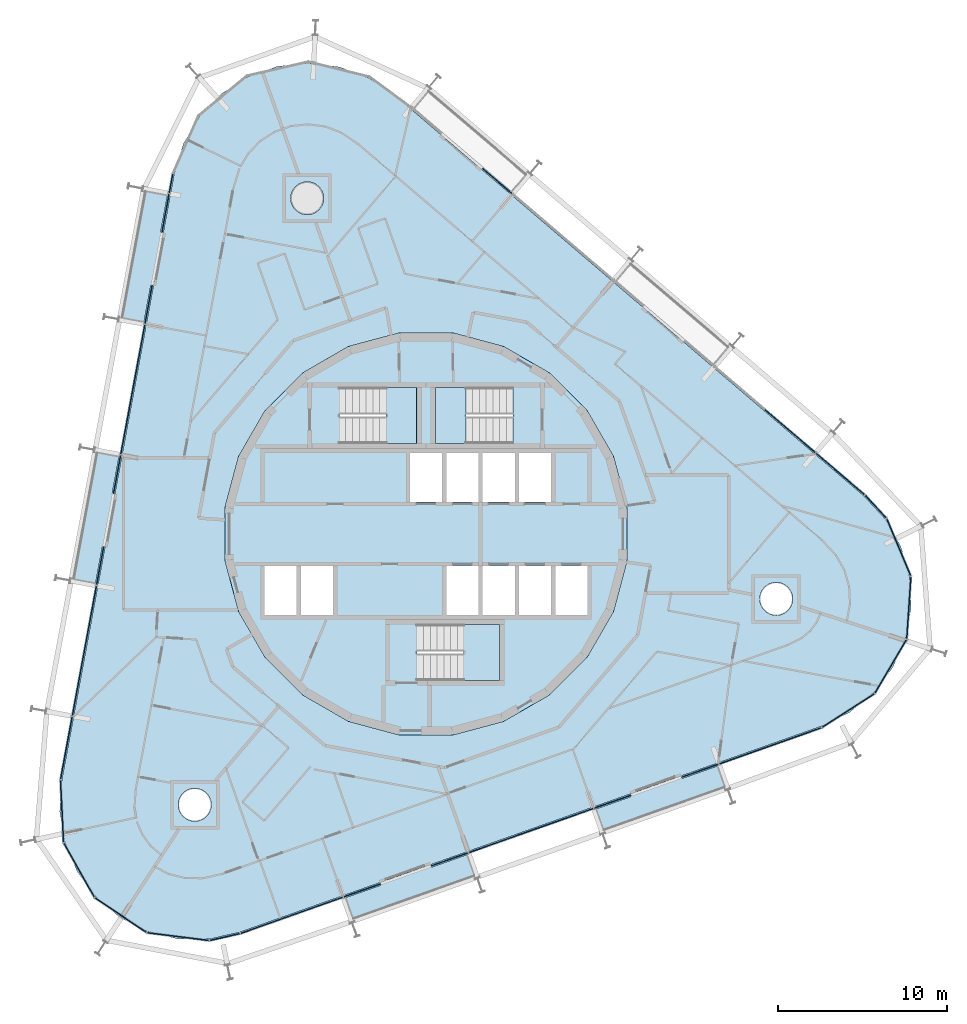
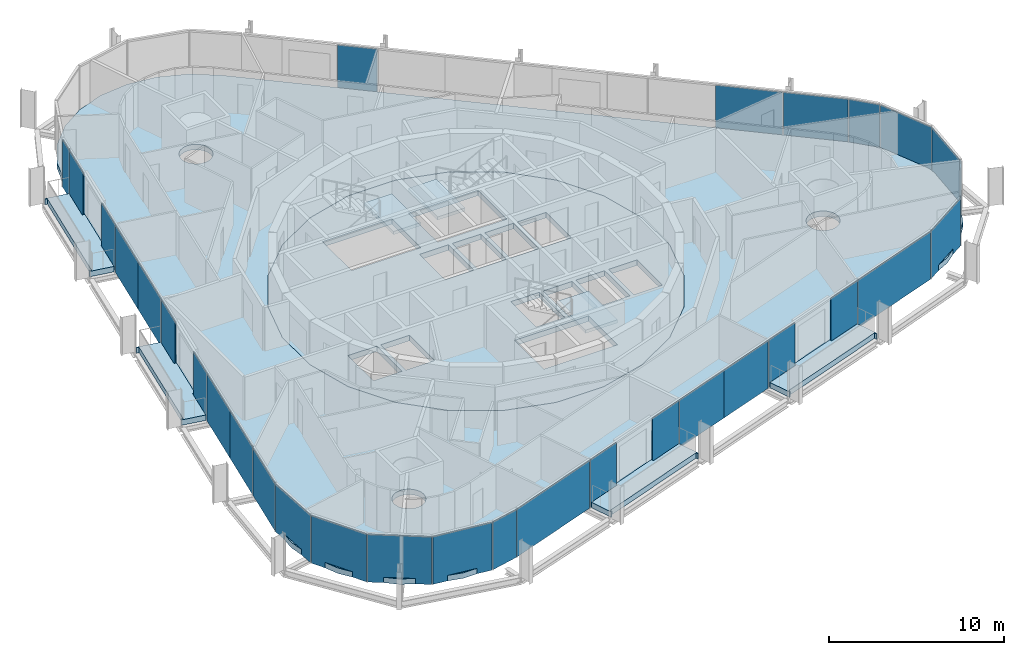
# One storey, part 9 of 17: 31 plates, 9 slabs, 9 elements without a shape of their own.
"""IFC4 building model written with IfcOpenShell, lengths in metres."""

from ifc_helpers import new_model, si_unit, direction, frame, origin, origin_2d, place, context, subcontext, project, spatial, polyline, rectangle, outline, extrude, material, layer, layer_set, type_object, element, aggregate, save


model = new_model("IFC4")

# Units and contexts
model_context = context("Model", 3, precision=1e-05, world=origin(), true_north=direction((0.0, 1.0)))
body_context = subcontext(model_context, "Body", "Model", "MODEL_VIEW")
ifc_project = project(units=[si_unit("LENGTHUNIT", "METRE"), si_unit("AREAUNIT", "SQUARE_METRE"), si_unit("VOLUMEUNIT", "CUBIC_METRE"), si_unit("PLANEANGLEUNIT", "RADIAN"), si_unit("MASSUNIT", "GRAM", prefix="KILO")], contexts=[model_context])

# Site, building, storey
site_placement = place(None, origin())
site = spatial("IfcSite", under=ifc_project, at=site_placement, CompositionType="ELEMENT")
building_placement = place(site_placement, origin())
building = spatial("IfcBuilding", under=site, at=building_placement, Name="Spindle Arch Residences", CompositionType="ELEMENT")
storey_placement = place(building_placement, frame((0.0, 0.0, 179.699951171875)))
storey = spatial("IfcBuildingStorey", under=building, at=storey_placement, Name="L45", CompositionType="ELEMENT", Elevation=179.699951171875)

# Slabs
ifc_material_1 = material(Name="Concrete C40/50", Category="concrete")
ifc_layer_1 = layer(ifc_material_1, 0.3798828125)
ifc_layer_set_1 = layer_set([ifc_layer_1], Name="Balcony slab 380")
slab_type_1 = type_object("IfcSlabType", Name="Balcony slab 380", PredefinedType="FLOOR", material=ifc_layer_set_1)
slab_1_placement = place(storey_placement, frame((0.0, 0.0, -0.3798828125)))
element("IfcSlab", 1, at=slab_1_placement, inside=storey, type_object=slab_type_1, Name="Balcony L45 bay 1", PredefinedType="FLOOR", context=body_context, shape_type="SweptSolid", body=[
    extrude(outline(polyline([(10.512451171875, -17.6884765625), (10.583251953125, -17.663330078125), (10.533203125, -17.52197265625), (17.65966796875, -14.998291015625), (17.709716796875, -15.1396484375), (17.7802734375, -15.11474609375), (17.282958984375, -13.710205078125), (15.1572265625, -14.462890625), (15.10400390625, -14.31201171875), (12.08740234375, -15.38037109375), (12.140869140625, -15.531005859375), (10.01513671875, -16.283935546875), (10.512451171875, -17.6884765625)])), origin(), (0.0, 0.0, 1.0), 0.3798828125),
])
slab_2_placement = place(storey_placement, frame((0.0, 0.0, -0.3798828125)))
element("IfcSlab", 2, at=slab_2_placement, inside=storey, type_object=slab_type_1, Name="Balcony L45 bay 13", PredefinedType="FLOOR", context=body_context, shape_type="SweptSolid", body=[
    extrude(outline(polyline([(-16.755126953125, 20.349365234375), (-16.768798828125, 20.275634765625), (-16.621337890625, 20.248291015625), (-17.9990234375, 12.814697265625), (-18.146484375, 12.842041015625), (-18.16015625, 12.768310546875), (-16.695068359375, 12.496826171875), (-16.2841796875, 14.714111328125), (-16.126953125, 14.684814453125), (-15.543701171875, 17.831298828125), (-15.700927734375, 17.860595703125), (-15.2900390625, 20.077880859375), (-16.755126953125, 20.349365234375)])), origin(), (0.0, 0.0, 1.0), 0.3798828125),
])
slab_3_placement = place(storey_placement, frame((0.0, 0.0, -0.3798828125)))
element("IfcSlab", 3, at=slab_3_placement, inside=storey, type_object=slab_type_1, Name="Balcony L45 bay 15", PredefinedType="FLOOR", context=body_context, shape_type="SweptSolid", body=[
    extrude(outline(polyline([(-19.619873046875, 4.892333984375), (-19.633544921875, 4.818603515625), (-19.486083984375, 4.791259765625), (-20.86376953125, -2.64208984375), (-21.01123046875, -2.61474609375), (-21.02490234375, -2.6884765625), (-19.559814453125, -2.960205078125), (-19.14892578125, -0.742919921875), (-18.99169921875, -0.77197265625), (-18.408447265625, 2.37451171875), (-18.56591796875, 2.403564453125), (-18.15478515625, 4.620849609375), (-19.619873046875, 4.892333984375)])), origin(), (0.0, 0.0, 1.0), 0.3798828125),
])
slab_4_placement = place(storey_placement, frame((0.0, 0.0, -0.3798828125)))
element("IfcSlab", 4, at=slab_4_placement, inside=storey, type_object=slab_type_1, Name="Balcony L45 bay 21", PredefinedType="FLOOR", context=body_context, shape_type="SweptSolid", body=[
    extrude(outline(polyline([(-4.305908203125, -22.935791015625), (-4.2353515625, -22.910888671875), (-4.285400390625, -22.76953125), (2.841064453125, -20.245849609375), (2.89111328125, -20.38720703125), (2.9619140625, -20.3623046875), (2.464599609375, -18.957763671875), (0.3388671875, -19.71044921875), (0.285400390625, -19.5595703125), (-2.73095703125, -20.627685546875), (-2.677734375, -20.778564453125), (-4.80322265625, -21.53125), (-4.305908203125, -22.935791015625)])), origin(), (0.0, 0.0, 1.0), 0.3798828125),
])
ifc_material_2 = material(Name="Concrete C50/60", Category="concrete")
ifc_layer_2 = layer(ifc_material_2, 0.3798828125)
ifc_layer_set_2 = layer_set([ifc_layer_2], Name="Core floor slab 380")
slab_type_2 = type_object("IfcSlabType", Name="Core floor slab 380", PredefinedType="FLOOR", material=ifc_layer_set_2)
slab_5_placement = place(storey_placement, frame((0.0, 0.0, -0.3798828125)))
element("IfcSlab", 5, at=slab_5_placement, inside=storey, type_object=slab_type_2, Name="Core floor L45", PredefinedType="FLOOR", context=body_context, shape_type="SweptSolid", body=[
    extrude(outline(polyline([(1.56640625, -11.897216796875), (4.59228515625, -11.086669921875), (7.30517578125, -9.520263671875), (9.520263671875, -7.30517578125), (11.086669921875, -4.59228515625), (11.897216796875, -1.56640625), (11.897216796875, 1.56640625), (11.086669921875, 4.59228515625), (9.520263671875, 7.30517578125), (7.30517578125, 9.520263671875), (4.59228515625, 11.086669921875), (1.56640625, 11.897216796875), (-1.56640625, 11.897216796875), (-4.59228515625, 11.086669921875), (-7.30517578125, 9.520263671875), (-9.520263671875, 7.30517578125), (-11.086669921875, 4.59228515625), (-11.897216796875, 1.56640625), (-11.897216796875, -1.56640625), (-11.086669921875, -4.59228515625), (-9.520263671875, -7.30517578125), (-7.30517578125, -9.520263671875), (-4.59228515625, -11.086669921875), (-1.56640625, -11.897216796875), (1.56640625, -11.897216796875)]), holes=[polyline([(-0.949951171875, 1.89990234375), (0.949951171875, 1.89990234375), (0.949951171875, 4.800048828125), (-0.949951171875, 4.800048828125), (-0.949951171875, 1.89990234375)]), polyline([(1.199951171875, 1.89990234375), (3.10009765625, 1.89990234375), (3.10009765625, 4.800048828125), (1.199951171875, 4.800048828125), (1.199951171875, 1.89990234375)]), polyline([(3.35009765625, 1.89990234375), (5.25, 1.89990234375), (5.25, 4.800048828125), (3.35009765625, 4.800048828125), (3.35009765625, 1.89990234375)]), polyline([(5.5, 1.89990234375), (7.39990234375, 1.89990234375), (7.39990234375, 4.800048828125), (5.5, 4.800048828125), (5.5, 1.89990234375)]), polyline([(-9.550048828125, -4.800048828125), (-7.64990234375, -4.800048828125), (-7.64990234375, -1.89990234375), (-9.550048828125, -1.89990234375), (-9.550048828125, -4.800048828125)]), polyline([(-7.39990234375, -4.800048828125), (-5.5, -4.800048828125), (-5.5, -1.89990234375), (-7.39990234375, -1.89990234375), (-7.39990234375, -4.800048828125)]), polyline([(1.199951171875, -4.800048828125), (3.10009765625, -4.800048828125), (3.10009765625, -1.89990234375), (1.199951171875, -1.89990234375), (1.199951171875, -4.800048828125)]), polyline([(3.35009765625, -4.800048828125), (5.25, -4.800048828125), (5.25, -1.89990234375), (3.35009765625, -1.89990234375), (3.35009765625, -4.800048828125)]), polyline([(5.5, -4.800048828125), (7.39990234375, -4.800048828125), (7.39990234375, -1.89990234375), (5.5, -1.89990234375), (5.5, -4.800048828125)]), polyline([(7.64990234375, -4.800048828125), (9.550048828125, -4.800048828125), (9.550048828125, -1.89990234375), (7.64990234375, -1.89990234375), (7.64990234375, -4.800048828125)]), polyline([(5.1298828125, 8.669921875), (0.550048828125, 8.669921875), (0.550048828125, 5.35009765625), (5.1298828125, 5.35009765625), (5.1298828125, 8.669921875)]), polyline([(-5.1298828125, 5.35009765625), (-0.550048828125, 5.35009765625), (-0.550048828125, 8.669921875), (-5.1298828125, 8.669921875), (-5.1298828125, 5.35009765625)]), polyline([(-0.530029296875, -8.669921875), (4.35009765625, -8.669921875), (4.35009765625, -5.35009765625), (-0.530029296875, -5.35009765625), (-0.530029296875, -8.669921875)])]), origin(), (0.0, 0.0, 1.0), 0.3798828125),
])

# Stair, slab
ifc_material_3 = material(Name="Concrete C50/60", Category="concrete")
stair_type = type_object("IfcStairType", Name="Exit stair 16 risers", PredefinedType="HALF_TURN_STAIR", material=ifc_material_3)
stair_1_placement = place(storey_placement, origin())
stair_1 = element("IfcStair", 6, at=stair_1_placement, inside=storey, type_object=stair_type, Name="L45 Exit stair ST1", PredefinedType="HALF_TURN_STAIR")
ifc_material_4 = material(Name="Concrete C50/60", Category="concrete")
ifc_layer_3 = layer(ifc_material_4, 0.219970703125)
ifc_layer_set_3 = layer_set([ifc_layer_3], Name="Exit stair landing 220")
slab_type_3 = type_object("IfcSlabType", Name="Exit stair landing 220", PredefinedType="LANDING", material=ifc_layer_set_3)
slab_6_placement = place(storey_placement, frame((0.0, 0.0, 1.530029296875)))
slab_6 = element("IfcSlab", 7, at=slab_6_placement, type_object=slab_type_3, Name="ST1 landing 1", PredefinedType="LANDING", context=body_context, shape_type="SweptSolid", body=[
    extrude(outline(polyline([(2.3701171875, 8.669921875), (0.550048828125, 8.669921875), (0.550048828125, 5.35009765625), (2.3701171875, 5.35009765625), (2.3701171875, 8.669921875)])), origin(), (0.0, 0.0, 1.0), 0.219970703125),
])
aggregate(stair_1, [slab_6])

stair_2_placement = place(storey_placement, origin())
stair_2 = element("IfcStair", 8, at=stair_2_placement, inside=storey, type_object=stair_type, Name="L45 Exit stair ST2", PredefinedType="HALF_TURN_STAIR")
slab_7_placement = place(storey_placement, frame((0.0, 0.0, 1.530029296875)))
slab_7 = element("IfcSlab", 9, at=slab_7_placement, type_object=slab_type_3, Name="ST2 landing 1", PredefinedType="LANDING", context=body_context, shape_type="SweptSolid", body=[
    extrude(outline(polyline([(-2.3701171875, 5.35009765625), (-0.550048828125, 5.35009765625), (-0.550048828125, 8.669921875), (-2.3701171875, 8.669921875), (-2.3701171875, 5.35009765625)])), origin(), (0.0, 0.0, 1.0), 0.219970703125),
])
aggregate(stair_2, [slab_7])

stair_3_placement = place(storey_placement, origin())
stair_3 = element("IfcStair", 10, at=stair_3_placement, inside=storey, type_object=stair_type, Name="L45 Exit stair ST3", PredefinedType="HALF_TURN_STAIR")
slab_8_placement = place(storey_placement, frame((0.0, 0.0, 1.530029296875)))
slab_8 = element("IfcSlab", 11, at=slab_8_placement, type_object=slab_type_3, Name="ST3 landing 1", PredefinedType="LANDING", context=body_context, shape_type="SweptSolid", body=[
    extrude(outline(polyline([(2.22998046875, -8.669921875), (4.35009765625, -8.669921875), (4.35009765625, -5.35009765625), (2.22998046875, -5.35009765625), (2.22998046875, -8.669921875)])), origin(), (0.0, 0.0, 1.0), 0.219970703125),
])
aggregate(stair_3, [slab_8])

# Slab
ifc_material_5 = material(Name="Concrete C40/50", Category="concrete")
ifc_layer_4 = layer(ifc_material_5, 0.3798828125)
ifc_layer_set_4 = layer_set([ifc_layer_4], Name="Floor slab 380")
slab_type_4 = type_object("IfcSlabType", Name="Floor slab 380", PredefinedType="FLOOR", material=ifc_layer_set_4)
slab_9_placement = place(storey_placement, frame((0.0, 0.0, -0.3798828125)))
element("IfcSlab", 12, at=slab_9_placement, inside=storey, type_object=slab_type_4, Name="Floor slab L45", PredefinedType="FLOOR", context=body_context, shape_type="SweptSolid", body=[
    extrude(outline(polyline([(-12.82177734375, -23.972412109375), (-14.67919921875, -23.9560546875), (-16.48291015625, -23.511962890625), (-18.135498046875, -22.663818359375), (-19.5478515625, -21.45751953125), (-20.64404296875, -19.9580078125), (-21.36474609375, -18.24609375), (-21.67138671875, -16.4140625), (-21.547119140625, -14.560791015625), (-14.89794921875, 21.3154296875), (-14.349609375, 23.090087890625), (-13.406982421875, 24.690673828125), (-12.12060546875, 26.030517578125), (-10.559814453125, 27.03759765625), (-8.808837890625, 27.65771484375), (-6.962158203125, 27.857421875), (-5.119140625, 27.62548828125), (-3.37939453125, 26.97509765625), (-1.83642578125, 25.94091796875), (25.90869140625, 2.244384765625), (27.171630859375, 0.882080078125), (28.086181640625, -0.734619140625), (28.603515625, -2.5185546875), (28.6953125, -4.373779296875), (28.356689453125, -6.2001953125), (27.606201171875, -7.8994140625), (26.48388671875, -9.37939453125), (25.05078125, -10.56103515625), (23.383544921875, -11.380126953125), (6.186279296875, -17.469970703125), (-11.0107421875, -23.559814453125), (-12.82177734375, -23.972412109375)]), holes=[polyline([(7.30517578125, -9.520263671875), (9.520263671875, -7.30517578125), (11.086669921875, -4.59228515625), (11.897216796875, -1.56640625), (11.897216796875, 1.56640625), (11.086669921875, 4.59228515625), (9.520263671875, 7.30517578125), (7.30517578125, 9.520263671875), (4.59228515625, 11.086669921875), (1.56640625, 11.897216796875), (-1.56640625, 11.897216796875), (-4.59228515625, 11.086669921875), (-7.30517578125, 9.520263671875), (-9.520263671875, 7.30517578125), (-11.086669921875, 4.59228515625), (-11.897216796875, 1.56640625), (-11.897216796875, -1.56640625), (-11.086669921875, -4.59228515625), (-9.520263671875, -7.30517578125), (-7.30517578125, -9.520263671875), (-4.59228515625, -11.086669921875), (-1.56640625, -11.897216796875), (1.56640625, -11.897216796875), (4.59228515625, -11.086669921875), (7.30517578125, -9.520263671875)]), polyline([(-12.99169921875, -16.7080078125), (-12.87060546875, -16.560302734375), (-12.780517578125, -16.3916015625), (-12.724853515625, -16.208740234375), (-12.706298828125, -16.0185546875), (-12.724853515625, -15.828369140625), (-12.780517578125, -15.6455078125), (-12.87060546875, -15.476806640625), (-12.99169921875, -15.3291015625), (-13.139404296875, -15.2080078125), (-13.30810546875, -15.117919921875), (-13.490966796875, -15.062255859375), (-13.68115234375, -15.043701171875), (-13.871337890625, -15.062255859375), (-14.05419921875, -15.117919921875), (-14.222900390625, -15.2080078125), (-14.37060546875, -15.3291015625), (-14.491943359375, -15.476806640625), (-14.58203125, -15.6455078125), (-14.637451171875, -15.828369140625), (-14.65625, -16.0185546875), (-14.637451171875, -16.208740234375), (-14.58203125, -16.3916015625), (-14.491943359375, -16.560302734375), (-14.37060546875, -16.7080078125), (-14.222900390625, -16.829345703125), (-14.05419921875, -16.91943359375), (-13.871337890625, -16.974853515625), (-13.68115234375, -16.99365234375), (-13.490966796875, -16.974853515625), (-13.30810546875, -16.91943359375), (-13.139404296875, -16.829345703125), (-12.99169921875, -16.7080078125)]), polyline([(-6.22119140625, 19.31591796875), (-6.131103515625, 19.484619140625), (-6.07568359375, 19.66748046875), (-6.056884765625, 19.857666015625), (-6.07568359375, 20.0478515625), (-6.131103515625, 20.230712890625), (-6.22119140625, 20.3994140625), (-6.342529296875, 20.547119140625), (-6.490234375, 20.668212890625), (-6.65869140625, 20.75830078125), (-6.841796875, 20.81396484375), (-7.031982421875, 20.83251953125), (-7.22216796875, 20.81396484375), (-7.405029296875, 20.75830078125), (-7.573486328125, 20.668212890625), (-7.72119140625, 20.547119140625), (-7.842529296875, 20.3994140625), (-7.9326171875, 20.230712890625), (-7.98828125, 20.0478515625), (-8.0068359375, 19.857666015625), (-7.98828125, 19.66748046875), (-7.9326171875, 19.484619140625), (-7.842529296875, 19.31591796875), (-7.72119140625, 19.168212890625), (-7.573486328125, 19.046875), (-7.405029296875, 18.956787109375), (-7.22216796875, 18.9013671875), (-7.031982421875, 18.882568359375), (-6.841796875, 18.9013671875), (-6.65869140625, 18.956787109375), (-6.490234375, 19.046875), (-6.342529296875, 19.168212890625), (-6.22119140625, 19.31591796875)]), polyline([(21.523681640625, -4.380615234375), (21.614013671875, -4.212158203125), (21.66943359375, -4.029296875), (21.68798828125, -3.839111328125), (21.66943359375, -3.648681640625), (21.614013671875, -3.4658203125), (21.523681640625, -3.29736328125), (21.402587890625, -3.149658203125), (21.2548828125, -3.0283203125), (21.086181640625, -2.938232421875), (20.9033203125, -2.8828125), (20.713134765625, -2.864013671875), (20.52294921875, -2.8828125), (20.340087890625, -2.938232421875), (20.17138671875, -3.0283203125), (20.023681640625, -3.149658203125), (19.90234375, -3.29736328125), (19.812255859375, -3.4658203125), (19.7568359375, -3.648681640625), (19.738037109375, -3.839111328125), (19.7568359375, -4.029296875), (19.812255859375, -4.212158203125), (19.90234375, -4.380615234375), (20.023681640625, -4.5283203125), (20.17138671875, -4.649658203125), (20.340087890625, -4.73974609375), (20.52294921875, -4.79541015625), (20.713134765625, -4.81396484375), (20.9033203125, -4.79541015625), (21.086181640625, -4.73974609375), (21.2548828125, -4.649658203125), (21.402587890625, -4.5283203125), (21.523681640625, -4.380615234375)])]), origin(), (0.0, 0.0, 1.0), 0.3798828125),
])

# Curtain wall, plates
ifc_material_6 = material(Name="Aluminium bronze unitised frame with tinted glass", Category="aluminium")
ifc_layer_5 = layer(ifc_material_6, 0.159912109375)
ifc_layer_set_5 = layer_set([ifc_layer_5], Name="CW-D corner wall on the fillet arcs")
curtain_wall_type_1 = type_object("IfcCurtainWallType", Name="CW-D corner wall on the fillet arcs", PredefinedType="NOTDEFINED", material=ifc_layer_set_5)
curtain_wall_1_placement = place(storey_placement, origin())
curtain_wall_1 = element("IfcCurtainWall", 13, at=curtain_wall_1_placement, inside=storey, type_object=curtain_wall_type_1, Name="CW-D L45 run 1", PredefinedType="NOTDEFINED")
ifc_material_7 = material(Name="Tinted double glazing over aluminium faced non-combustible spandrel zone (K0)", Category="aluminium")
ifc_layer_6 = layer(ifc_material_7, 0.06005859375)
ifc_layer_set_6 = layer_set([ifc_layer_6], Name="Unitised glass panel with E 60 spandrel zone")
plate_type = type_object("IfcPlateType", Name="Unitised glass panel with E 60 spandrel zone", PredefinedType="CURTAIN_PANEL", material=ifc_layer_set_6)
plate_1_placement = place(storey_placement, frame((20.36865234375, -12.53271484375, -0.3798828125), z_axis=(0.0, 0.0, 1.0), x_axis=(0.942641491092, 0.333806859234, 0.0)))
plate_1 = element("IfcPlate", 14, at=plate_1_placement, type_object=plate_type, Name="CW-D unit 00", PredefinedType="CURTAIN_PANEL", context=body_context, shape_type="SweptSolid", body=[
    extrude(rectangle(XDim=6.3935546875, YDim=0.06005859375, at=origin_2d()), origin(), (0.0, 0.0, 1.0), 3.31005859375),
])
plate_2_placement = place(storey_placement, frame((24.97607421875, -10.445068359375, -0.3798828125), z_axis=(0.0, 0.0, 1.0), x_axis=(0.840251309898, 0.542197137778, 0.0)))
plate_2 = element("IfcPlate", 15, at=plate_2_placement, type_object=plate_type, Name="CW-D unit 01", PredefinedType="CURTAIN_PANEL", context=body_context, shape_type="SweptSolid", body=[
    extrude(rectangle(XDim=3.666748046875, YDim=0.06005859375, at=origin_2d()), origin(), (0.0, 0.0, 1.0), 3.31005859375),
])
plate_3_placement = place(storey_placement, frame((27.487548828125, -7.829345703125, -0.3798828125), z_axis=(0.0, 0.0, 1.0), x_axis=(0.507538365713, 0.86162915882, 0.0)))
plate_3 = element("IfcPlate", 16, at=plate_3_placement, type_object=plate_type, Name="CW-D unit 02", PredefinedType="CURTAIN_PANEL", context=body_context, shape_type="SweptSolid", body=[
    extrude(rectangle(XDim=3.666748046875, YDim=0.06005859375, at=origin_2d()), origin(), (0.0, 0.0, 1.0), 3.31005859375),
])
plate_4_placement = place(storey_placement, frame((28.557861328125, -4.364501953125, -0.3798828125), z_axis=(0.0, 0.0, 1.0), x_axis=(0.066854392204, 0.997762742461, 0.0)))
plate_4 = element("IfcPlate", 17, at=plate_4_placement, type_object=plate_type, Name="CW-D unit 03", PredefinedType="CURTAIN_PANEL", context=body_context, shape_type="SweptSolid", body=[
    extrude(rectangle(XDim=3.666748046875, YDim=0.06005859375, at=origin_2d()), origin(), (0.0, 0.0, 1.0), 3.31005859375),
])
plate_5_placement = place(storey_placement, frame((27.959228515625, -0.7880859375, -0.3798828125), z_axis=(0.0, 0.0, 1.0), x_axis=(-0.388051836633, 0.921637549195, 0.0)))
plate_5 = element("IfcPlate", 18, at=plate_5_placement, type_object=plate_type, Name="CW-D unit 04", PredefinedType="CURTAIN_PANEL", context=body_context, shape_type="SweptSolid", body=[
    extrude(rectangle(XDim=3.666748046875, YDim=0.06005859375, at=origin_2d()), origin(), (0.0, 0.0, 1.0), 3.31005859375),
])
plate_6_placement = place(storey_placement, frame((26.598388671875, 1.6171875, -0.3798828125), z_axis=(0.0, 0.0, 1.0), x_axis=(-0.679868057543, 0.733334455983, 0.0)))
plate_6 = element("IfcPlate", 19, at=plate_6_placement, type_object=plate_type, Name="CW-D unit 05", PredefinedType="CURTAIN_PANEL", context=body_context, shape_type="SweptSolid", body=[
    extrude(rectangle(XDim=1.816162109375, YDim=0.06005859375, at=origin_2d()), origin(), (0.0, 0.0, 1.0), 3.31005859375),
])
plate_7_placement = place(storey_placement, frame((24.503173828125, 3.550048828125, -0.3798828125), z_axis=(0.0, 0.0, 1.0), x_axis=(-0.7604059656, 0.64944804833, 0.0)))
plate_7 = element("IfcPlate", 20, at=plate_7_placement, type_object=plate_type, Name="CW-D unit 06", PredefinedType="CURTAIN_PANEL", context=body_context, shape_type="SweptSolid", body=[
    extrude(rectangle(XDim=3.7734375, YDim=0.06005859375, at=origin_2d()), origin(), (0.0, 0.0, 1.0), 3.31005859375),
])
aggregate(curtain_wall_1, [plate_1, plate_2, plate_3, plate_4, plate_5, plate_6, plate_7])

ifc_material_8 = material(Name="Aluminium bronze unitised frame with tinted glass", Category="aluminium")
ifc_layer_7 = layer(ifc_material_8, 0.159912109375)
ifc_layer_set_7 = layer_set([ifc_layer_7], Name="CW-C typical residential unitised wall")
curtain_wall_type_2 = type_object("IfcCurtainWallType", Name="CW-C typical residential unitised wall", PredefinedType="NOTDEFINED", material=ifc_layer_set_7)
curtain_wall_2_placement = place(storey_placement, origin())
curtain_wall_2 = element("IfcCurtainWall", 21, at=curtain_wall_2_placement, inside=storey, type_object=curtain_wall_type_2, Name="CW-C L45 run 2", PredefinedType="NOTDEFINED")
plate_8_placement = place(storey_placement, frame((21.5400390625, 6.08056640625, -0.3798828125), z_axis=(0.0, 0.0, 1.0), x_axis=(-0.7604059656, 0.64944804833, 0.0)))
plate_8 = element("IfcPlate", 22, at=plate_8_placement, type_object=plate_type, Name="CW-C unit 05A", PredefinedType="CURTAIN_PANEL", context=body_context, shape_type="SweptSolid", body=[
    extrude(rectangle(XDim=3.900146484375, YDim=0.06005859375, at=origin_2d()), origin(), (0.0, 0.0, 1.0), 3.31005859375),
])
plate_9_placement = place(storey_placement, frame((4.2177734375, 20.875244140625, -0.3798828125), z_axis=(0.0, 0.0, 1.0), x_axis=(-0.7604059656, 0.64944804833, 0.0)))
plate_9 = element("IfcPlate", 23, at=plate_9_placement, type_object=plate_type, Name="CW-C unit 08L", PredefinedType="CURTAIN_PANEL", context=body_context, shape_type="SweptSolid", body=[
    extrude(rectangle(XDim=2.300048828125, YDim=0.06005859375, at=origin_2d()), origin(), (0.0, 0.0, 1.0), 3.31005859375),
])
aggregate(curtain_wall_2, [plate_8, plate_9])

# Curtain wall, plate
curtain_wall_3_placement = place(storey_placement, origin())
curtain_wall_3 = element("IfcCurtainWall", 24, at=curtain_wall_3_placement, inside=storey, type_object=curtain_wall_type_1, Name="CW-D L45 run 3", PredefinedType="NOTDEFINED")
plate_10_placement = place(storey_placement, frame((-15.087158203125, 20.7333984375, -0.3798828125), z_axis=(0.0, 0.0, 1.0), x_axis=(-0.182235525492, -0.983254907564, 0.0)))
plate_10 = element("IfcPlate", 25, at=plate_10_placement, type_object=plate_type, Name="CW-D unit 05", PredefinedType="CURTAIN_PANEL", context=body_context, shape_type="SweptSolid", body=[
    extrude(rectangle(XDim=1.1533203125, YDim=0.06005859375, at=origin_2d()), origin(), (0.0, 0.0, 1.0), 3.31005859375),
])
aggregate(curtain_wall_3, [plate_10])

# Curtain wall, plates
curtain_wall_4_placement = place(storey_placement, origin())
curtain_wall_4 = element("IfcCurtainWall", 26, at=curtain_wall_4_placement, inside=storey, type_object=curtain_wall_type_2, Name="CW-C L45 run 4", PredefinedType="NOTDEFINED")
plate_11_placement = place(storey_placement, frame((-15.412841796875, 18.9765625, -0.3798828125), z_axis=(0.0, 0.0, 1.0), x_axis=(-0.182235525492, -0.983254907564, 0.0)))
plate_11 = element("IfcPlate", 27, at=plate_11_placement, type_object=plate_type, Name="CW-C unit 12L", PredefinedType="CURTAIN_PANEL", context=body_context, shape_type="SweptSolid", body=[
    extrude(rectangle(XDim=2.300048828125, YDim=0.06005859375, at=origin_2d()), origin(), (0.0, 0.0, 1.0), 3.31005859375),
])
plate_12_placement = place(storey_placement, frame((-16.4150390625, 13.56884765625, -0.3798828125), z_axis=(0.0, 0.0, 1.0), x_axis=(-0.182235525492, -0.983254907564, 0.0)))
plate_12 = element("IfcPlate", 28, at=plate_12_placement, type_object=plate_type, Name="CW-C unit 12R", PredefinedType="CURTAIN_PANEL", context=body_context, shape_type="SweptSolid", body=[
    extrude(rectangle(XDim=2.300048828125, YDim=0.06005859375, at=origin_2d()), origin(), (0.0, 0.0, 1.0), 3.31005859375),
])
plate_13_placement = place(storey_placement, frame((-16.990966796875, 10.461669921875, -0.3798828125), z_axis=(0.0, 0.0, 1.0), x_axis=(-0.182235525492, -0.983254907564, 0.0)))
plate_13 = element("IfcPlate", 29, at=plate_13_placement, type_object=plate_type, Name="CW-C unit 13A", PredefinedType="CURTAIN_PANEL", context=body_context, shape_type="SweptSolid", body=[
    extrude(rectangle(XDim=3.900146484375, YDim=0.06005859375, at=origin_2d()), origin(), (0.0, 0.0, 1.0), 3.31005859375),
])
plate_14_placement = place(storey_placement, frame((-17.70166015625, 6.626953125, -0.3798828125), z_axis=(0.0, 0.0, 1.0), x_axis=(-0.182235525492, -0.983254907564, 0.0)))
plate_14 = element("IfcPlate", 30, at=plate_14_placement, type_object=plate_type, Name="CW-C unit 13B", PredefinedType="CURTAIN_PANEL", context=body_context, shape_type="SweptSolid", body=[
    extrude(rectangle(XDim=3.900146484375, YDim=0.06005859375, at=origin_2d()), origin(), (0.0, 0.0, 1.0), 3.31005859375),
])
plate_15_placement = place(storey_placement, frame((-18.277587890625, 3.519775390625, -0.3798828125), z_axis=(0.0, 0.0, 1.0), x_axis=(-0.182235525492, -0.983254907564, 0.0)))
plate_15 = element("IfcPlate", 31, at=plate_15_placement, type_object=plate_type, Name="CW-C unit 14L", PredefinedType="CURTAIN_PANEL", context=body_context, shape_type="SweptSolid", body=[
    extrude(rectangle(XDim=2.300048828125, YDim=0.06005859375, at=origin_2d()), origin(), (0.0, 0.0, 1.0), 3.31005859375),
])
plate_16_placement = place(storey_placement, frame((-19.27978515625, -1.88818359375, -0.3798828125), z_axis=(0.0, 0.0, 1.0), x_axis=(-0.182235525492, -0.983254907564, 0.0)))
plate_16 = element("IfcPlate", 32, at=plate_16_placement, type_object=plate_type, Name="CW-C unit 14R", PredefinedType="CURTAIN_PANEL", context=body_context, shape_type="SweptSolid", body=[
    extrude(rectangle(XDim=2.300048828125, YDim=0.06005859375, at=origin_2d()), origin(), (0.0, 0.0, 1.0), 3.31005859375),
])
plate_17_placement = place(storey_placement, frame((-19.855712890625, -4.995361328125, -0.3798828125), z_axis=(0.0, 0.0, 1.0), x_axis=(-0.182235525492, -0.983254907564, 0.0)))
plate_17 = element("IfcPlate", 33, at=plate_17_placement, type_object=plate_type, Name="CW-C unit 15A", PredefinedType="CURTAIN_PANEL", context=body_context, shape_type="SweptSolid", body=[
    extrude(rectangle(XDim=3.900146484375, YDim=0.06005859375, at=origin_2d()), origin(), (0.0, 0.0, 1.0), 3.31005859375),
])
plate_18_placement = place(storey_placement, frame((-20.56640625, -8.830078125, -0.3798828125), z_axis=(0.0, 0.0, 1.0), x_axis=(-0.182235525492, -0.983254907564, 0.0)))
plate_18 = element("IfcPlate", 34, at=plate_18_placement, type_object=plate_type, Name="CW-C unit 15B", PredefinedType="CURTAIN_PANEL", context=body_context, shape_type="SweptSolid", body=[
    extrude(rectangle(XDim=3.900146484375, YDim=0.06005859375, at=origin_2d()), origin(), (0.0, 0.0, 1.0), 3.31005859375),
])
aggregate(curtain_wall_4, [plate_11, plate_12, plate_13, plate_14, plate_15, plate_16, plate_17, plate_18])

curtain_wall_5_placement = place(storey_placement, origin())
curtain_wall_5 = element("IfcCurtainWall", 35, at=curtain_wall_5_placement, inside=storey, type_object=curtain_wall_type_1, Name="CW-D L45 run 5", PredefinedType="NOTDEFINED")
plate_19_placement = place(storey_placement, frame((-21.276611328125, -12.66162109375, -0.3798828125), z_axis=(0.0, 0.0, 1.0), x_axis=(-0.182235525492, -0.983254907564, 0.0)))
plate_19 = element("IfcPlate", 36, at=plate_19_placement, type_object=plate_type, Name="CW-D unit 00", PredefinedType="CURTAIN_PANEL", context=body_context, shape_type="SweptSolid", body=[
    extrude(rectangle(XDim=3.7734375, YDim=0.06005859375, at=origin_2d()), origin(), (0.0, 0.0, 1.0), 3.31005859375),
])
plate_20_placement = place(storey_placement, frame((-21.53369140625, -16.4072265625, -0.3798828125), z_axis=(0.0, 0.0, 1.0), x_axis=(0.049430843939, -0.99877754864, 0.0)))
plate_20 = element("IfcPlate", 37, at=plate_20_placement, type_object=plate_type, Name="CW-D unit 01", PredefinedType="CURTAIN_PANEL", context=body_context, shape_type="SweptSolid", body=[
    extrude(rectangle(XDim=3.666748046875, YDim=0.06005859375, at=origin_2d()), origin(), (0.0, 0.0, 1.0), 3.31005859375),
])
plate_21_placement = place(storey_placement, frame((-20.524169921875, -19.89013671875, -0.3798828125), z_axis=(0.0, 0.0, 1.0), x_axis=(0.492423562185, -0.870355694762, 0.0)))
plate_21 = element("IfcPlate", 38, at=plate_21_placement, type_object=plate_type, Name="CW-D unit 02", PredefinedType="CURTAIN_PANEL", context=body_context, shape_type="SweptSolid", body=[
    extrude(rectangle(XDim=3.666748046875, YDim=0.06005859375, at=origin_2d()), origin(), (0.0, 0.0, 1.0), 3.31005859375),
])
plate_22_placement = place(storey_placement, frame((-18.05859375, -22.549560546875, -0.3798828125), z_axis=(0.0, 0.0, 1.0), x_axis=(0.830660688705, -0.556778968928, 0.0)))
plate_22 = element("IfcPlate", 39, at=plate_22_placement, type_object=plate_type, Name="CW-D unit 03", PredefinedType="CURTAIN_PANEL", context=body_context, shape_type="SweptSolid", body=[
    extrude(rectangle(XDim=3.666748046875, YDim=0.06005859375, at=origin_2d()), origin(), (0.0, 0.0, 1.0), 3.31005859375),
])
plate_23_placement = place(storey_placement, frame((-14.662109375, -23.8193359375, -0.3798828125), z_axis=(0.0, 0.0, 1.0), x_axis=(0.992187449327, -0.12475602349, 0.0)))
plate_23 = element("IfcPlate", 40, at=plate_23_placement, type_object=plate_type, Name="CW-D unit 04", PredefinedType="CURTAIN_PANEL", context=body_context, shape_type="SweptSolid", body=[
    extrude(rectangle(XDim=3.666748046875, YDim=0.06005859375, at=origin_2d()), origin(), (0.0, 0.0, 1.0), 3.31005859375),
])
plate_24_placement = place(storey_placement, frame((-11.898681640625, -23.843505859375, -0.3798828125), z_axis=(0.0, 0.0, 1.0), x_axis=(0.975020297465, 0.222115779565, 0.0)))
plate_24 = element("IfcPlate", 41, at=plate_24_placement, type_object=plate_type, Name="CW-D unit 05", PredefinedType="CURTAIN_PANEL", context=body_context, shape_type="SweptSolid", body=[
    extrude(rectangle(XDim=1.816162109375, YDim=0.06005859375, at=origin_2d()), origin(), (0.0, 0.0, 1.0), 3.31005859375),
])
plate_25_placement = place(storey_placement, frame((-7.9423828125, -22.55810546875, -0.3798828125), z_axis=(0.0, 0.0, 1.0), x_axis=(0.942641491092, 0.333806859234, 0.0)))
plate_25 = element("IfcPlate", 42, at=plate_25_placement, type_object=plate_type, Name="CW-D unit 06", PredefinedType="CURTAIN_PANEL", context=body_context, shape_type="SweptSolid", body=[
    extrude(rectangle(XDim=6.3935546875, YDim=0.06005859375, at=origin_2d()), origin(), (0.0, 0.0, 1.0), 3.31005859375),
])
aggregate(curtain_wall_5, [plate_19, plate_20, plate_21, plate_22, plate_23, plate_24, plate_25])

curtain_wall_6_placement = place(storey_placement, origin())
curtain_wall_6 = element("IfcCurtainWall", 43, at=curtain_wall_6_placement, inside=storey, type_object=curtain_wall_type_2, Name="CW-C L45 run 6", PredefinedType="NOTDEFINED")
plate_26_placement = place(storey_placement, frame((-3.788330078125, -21.087158203125, -0.3798828125), z_axis=(0.0, 0.0, 1.0), x_axis=(0.942641491092, 0.333806859234, 0.0)))
plate_26 = element("IfcPlate", 44, at=plate_26_placement, type_object=plate_type, Name="CW-C unit 20L", PredefinedType="CURTAIN_PANEL", context=body_context, shape_type="SweptSolid", body=[
    extrude(rectangle(XDim=2.300048828125, YDim=0.06005859375, at=origin_2d()), origin(), (0.0, 0.0, 1.0), 3.31005859375),
])
plate_27_placement = place(storey_placement, frame((1.396240234375, -19.251220703125, -0.3798828125), z_axis=(0.0, 0.0, 1.0), x_axis=(0.942641491092, 0.333806859234, 0.0)))
plate_27 = element("IfcPlate", 45, at=plate_27_placement, type_object=plate_type, Name="CW-C unit 20R", PredefinedType="CURTAIN_PANEL", context=body_context, shape_type="SweptSolid", body=[
    extrude(rectangle(XDim=2.300048828125, YDim=0.06005859375, at=origin_2d()), origin(), (0.0, 0.0, 1.0), 3.31005859375),
])
plate_28_placement = place(storey_placement, frame((4.375, -18.1962890625, -0.3798828125), z_axis=(0.0, 0.0, 1.0), x_axis=(0.942641491092, 0.333806859234, 0.0)))
plate_28 = element("IfcPlate", 46, at=plate_28_placement, type_object=plate_type, Name="CW-C unit 21A", PredefinedType="CURTAIN_PANEL", context=body_context, shape_type="SweptSolid", body=[
    extrude(rectangle(XDim=3.900146484375, YDim=0.06005859375, at=origin_2d()), origin(), (0.0, 0.0, 1.0), 3.31005859375),
])
plate_29_placement = place(storey_placement, frame((8.05126953125, -16.894287109375, -0.3798828125), z_axis=(0.0, 0.0, 1.0), x_axis=(0.942641491092, 0.333806859234, 0.0)))
plate_29 = element("IfcPlate", 47, at=plate_29_placement, type_object=plate_type, Name="CW-C unit 21B", PredefinedType="CURTAIN_PANEL", context=body_context, shape_type="SweptSolid", body=[
    extrude(rectangle(XDim=3.900146484375, YDim=0.06005859375, at=origin_2d()), origin(), (0.0, 0.0, 1.0), 3.31005859375),
])
plate_30_placement = place(storey_placement, frame((11.030029296875, -15.839599609375, -0.3798828125), z_axis=(0.0, 0.0, 1.0), x_axis=(0.942641491092, 0.333806859234, 0.0)))
plate_30 = element("IfcPlate", 48, at=plate_30_placement, type_object=plate_type, Name="CW-C unit 00L", PredefinedType="CURTAIN_PANEL", context=body_context, shape_type="SweptSolid", body=[
    extrude(rectangle(XDim=2.300048828125, YDim=0.06005859375, at=origin_2d()), origin(), (0.0, 0.0, 1.0), 3.31005859375),
])
plate_31_placement = place(storey_placement, frame((16.214599609375, -14.003662109375, -0.3798828125), z_axis=(0.0, 0.0, 1.0), x_axis=(0.942641491092, 0.333806859234, 0.0)))
plate_31 = element("IfcPlate", 49, at=plate_31_placement, type_object=plate_type, Name="CW-C unit 00R", PredefinedType="CURTAIN_PANEL", context=body_context, shape_type="SweptSolid", body=[
    extrude(rectangle(XDim=2.300048828125, YDim=0.06005859375, at=origin_2d()), origin(), (0.0, 0.0, 1.0), 3.31005859375),
])
aggregate(curtain_wall_6, [plate_26, plate_27, plate_28, plate_29, plate_30, plate_31])

save(model, "model.ifc")
